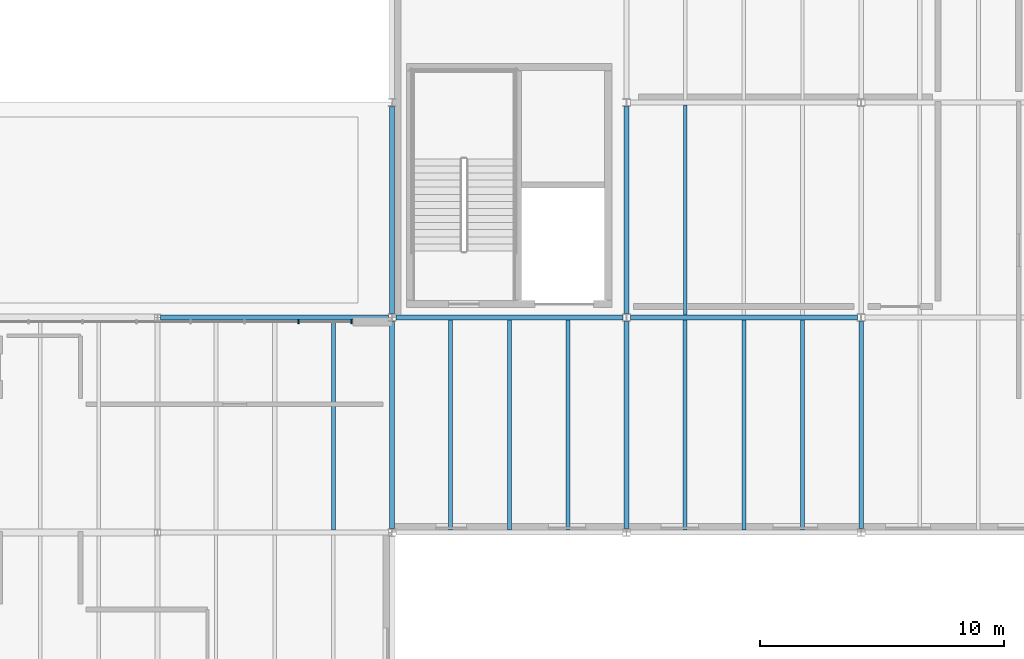
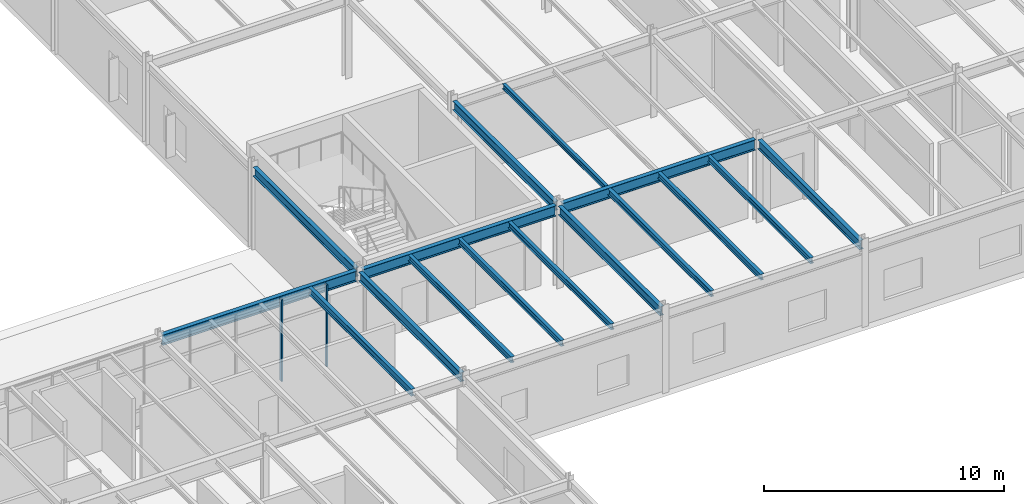
# One storey, part 25 of 69: 16 beams, 2 members, 1 element without a shape of its own.
"""IFC4 building model written with IfcOpenShell, lengths in metres."""

from ifc_helpers import new_model, si_unit, direction, frame, origin, origin_2d, place, context, subcontext, project, spatial, rectangle, i_section, extrude, material, material_profile, profile_set, type_object, element, aggregate, save


model = new_model("IFC4")

# Units and contexts
model_context = context("Model", 3, precision=1e-05, world=origin(), true_north=direction((0.0, 1.0)))
body_context = subcontext(model_context, "Body", "Model", "MODEL_VIEW")
ifc_project = project(units=[si_unit("LENGTHUNIT", "METRE"), si_unit("AREAUNIT", "SQUARE_METRE"), si_unit("VOLUMEUNIT", "CUBIC_METRE"), si_unit("PLANEANGLEUNIT", "RADIAN"), si_unit("MASSUNIT", "GRAM", prefix="KILO")], contexts=[model_context])

# Site, building, storey
site_placement = place(None, origin())
site = spatial("IfcSite", under=ifc_project, at=site_placement, CompositionType="ELEMENT")
building_placement = place(site_placement, origin())
building = spatial("IfcBuilding", under=site, at=building_placement, Name="Sarnbrook Museum", CompositionType="ELEMENT")
storey_placement = place(building_placement, frame((0.0, 0.0, 14.60009765625)))
storey = spatial("IfcBuildingStorey", under=building, at=storey_placement, Name="L03", CompositionType="ELEMENT", Elevation=14.60009765625)

# Beams
ifc_material_1 = material(Name="Structural Steel Grade 300PLUS (AS/NZS 3679.1, fy = 280 MPa for 17 < t <= 40 mm, 300 MPa for t <= 17 mm)", Category="steel")
ifc_material_profile_1 = material_profile(ifc_material_1, i_section(OverallWidth=0.18994140625, OverallDepth=0.45703125, WebThickness=0.009033203125, FlangeThickness=0.014404296875, FilletRadius=0.011474609375, at=origin_2d()), Name="460UB74.6")
ifc_profile_set_1 = profile_set([ifc_material_profile_1], Name="Structural Steel Grade 300PLUS (AS/NZS 3679.1, fy = 280 MPa for 17 < t <= 40 mm, 300 MPa for t <= 17 mm)")
beam_type_1 = type_object("IfcBeamType", Name="BM-UB460", PredefinedType="BEAM", material=ifc_profile_set_1)
beam_1_placement = place(storey_placement, frame((42.39990234375, 74.5576171875, 3.9814453125), z_axis=(0.0, 1.0, 0.0), x_axis=(-1.0, 0.0, 0.0)))
element("IfcBeam", 1, at=beam_1_placement, inside=storey, type_object=beam_type_1, Name="Girder 5:J-K L03", PredefinedType="BEAM", context=body_context, shape_type="SweptSolid", body=[
    extrude(i_section(OverallWidth=0.18994140625, OverallDepth=0.45703125, WebThickness=0.009033203125, FlangeThickness=0.014404296875, FilletRadius=0.011474609375, at=origin_2d()), origin(), (0.0, 0.0, 1.0), 8.48486328125),
])
beam_2_placement = place(storey_placement, frame((42.39990234375, 83.357421875, 3.9814453125), z_axis=(0.0, 1.0, 0.0), x_axis=(-1.0, 0.0, 0.0)))
element("IfcBeam", 2, at=beam_2_placement, inside=storey, type_object=beam_type_1, Name="Girder 5:K-L L03", PredefinedType="BEAM", context=body_context, shape_type="SweptSolid", body=[
    extrude(i_section(OverallWidth=0.18994140625, OverallDepth=0.45703125, WebThickness=0.009033203125, FlangeThickness=0.014404296875, FilletRadius=0.011474609375, at=origin_2d()), origin(), (0.0, 0.0, 1.0), 8.485107421875),
])
beam_3_placement = place(storey_placement, frame((52.0, 74.5576171875, 3.9814453125), z_axis=(0.0, 1.0, 0.0), x_axis=(-1.0, 0.0, 0.0)))
element("IfcBeam", 3, at=beam_3_placement, inside=storey, type_object=beam_type_1, Name="Girder 6:J-K L03", PredefinedType="BEAM", context=body_context, shape_type="SweptSolid", body=[
    extrude(i_section(OverallWidth=0.18994140625, OverallDepth=0.45703125, WebThickness=0.009033203125, FlangeThickness=0.014404296875, FilletRadius=0.011474609375, at=origin_2d()), origin(), (0.0, 0.0, 1.0), 8.48486328125),
])
beam_4_placement = place(storey_placement, frame((52.0, 83.357421875, 3.9814453125), z_axis=(0.0, 1.0, 0.0), x_axis=(-1.0, 0.0, 0.0)))
element("IfcBeam", 4, at=beam_4_placement, inside=storey, type_object=beam_type_1, Name="Girder 6:K-L L03", PredefinedType="BEAM", context=body_context, shape_type="SweptSolid", body=[
    extrude(i_section(OverallWidth=0.18994140625, OverallDepth=0.45703125, WebThickness=0.009033203125, FlangeThickness=0.014404296875, FilletRadius=0.011474609375, at=origin_2d()), origin(), (0.0, 0.0, 1.0), 8.485107421875),
])
beam_5_placement = place(storey_placement, frame((61.60009765625, 74.5576171875, 3.9814453125), z_axis=(0.0, 1.0, 0.0), x_axis=(-1.0, 0.0, 0.0)))
element("IfcBeam", 5, at=beam_5_placement, inside=storey, type_object=beam_type_1, Name="Girder 7:J-K L03", PredefinedType="BEAM", context=body_context, shape_type="SweptSolid", body=[
    extrude(i_section(OverallWidth=0.18994140625, OverallDepth=0.45703125, WebThickness=0.009033203125, FlangeThickness=0.014404296875, FilletRadius=0.011474609375, at=origin_2d()), origin(), (0.0, 0.0, 1.0), 8.48486328125),
])
ifc_material_profile_2 = material_profile(ifc_material_1, i_section(OverallWidth=0.208984375, OverallDepth=0.532958984375, WebThickness=0.01025390625, FlangeThickness=0.015625, FilletRadius=0.013916015625, at=origin_2d()), Name="530UB92.4")
ifc_profile_set_2 = profile_set([ifc_material_profile_2], Name="Structural Steel Grade 300PLUS (AS/NZS 3679.1, fy = 280 MPa for 17 < t <= 40 mm, 300 MPa for t <= 17 mm)")
beam_type_2 = type_object("IfcBeamType", Name="BM-UB530", PredefinedType="BEAM", material=ifc_profile_set_2)
beam_6_placement = place(storey_placement, frame((32.927001953125, 83.199951171875, 3.9833984375), z_axis=(1.0, 0.0, 0.0), x_axis=(0.0, 1.0, 0.0)))
element("IfcBeam", 6, at=beam_6_placement, inside=storey, type_object=beam_type_2, Name="Girder K:4-5 L03", PredefinedType="BEAM", context=body_context, shape_type="SweptSolid", body=[
    extrude(i_section(OverallWidth=0.208984375, OverallDepth=0.532958984375, WebThickness=0.01025390625, FlangeThickness=0.015625, FilletRadius=0.013916015625, at=origin_2d()), origin(), (0.0, 0.0, 1.0), 9.319580078125),
])
for number, where, z_axis, x_axis, name in (
    (7, (42.553466796875, 83.199951171875, 3.943359375), (1.0, 0.0, 0.0), (0.0, 1.0, 0.0), "Girder K:5-6 L03"),
    (8, (52.153564453125, 83.199951171875, 3.943359375), (1.0, 0.0, 0.0), (0.0, 1.0, 0.0), "Girder K:6-7 L03"),
):
    element("IfcBeam", number, at=place(storey_placement, frame(where, z_axis=z_axis, x_axis=x_axis)), inside=storey, type_object=beam_type_2, Name=name, PredefinedType="BEAM", context=body_context, shape_type="SweptSolid", body=[
        extrude(i_section(OverallWidth=0.208984375, OverallDepth=0.532958984375, WebThickness=0.01025390625, FlangeThickness=0.015625, FilletRadius=0.013916015625, at=origin_2d()), origin(), (0.0, 0.0, 1.0), 9.29296875),
    ])

# Curtain wall, members
ifc_material_2 = material(Name="Thermally Broken Anodised Aluminium 6063-T6", Category="aluminium")
curtain_wall_type = type_object("IfcCurtainWallType", Name="CurtainWall_GalleryRibbon", PredefinedType="NOTDEFINED", material=ifc_material_2)
curtain_wall_placement = place(storey_placement, origin())
curtain_wall = element("IfcCurtainWall", 9, at=curtain_wall_placement, inside=storey, type_object=curtain_wall_type, Name="Gallery Ribbon Curtain Wall L03-10.1", PredefinedType="NOTDEFINED")
ifc_material_profile_3 = material_profile(ifc_material_2, rectangle(XDim=0.06005859375, YDim=0.159912109375, at=origin_2d()), Name="ALU MULLION 60x160")
ifc_profile_set_3 = profile_set([ifc_material_profile_3], Name="Thermally Broken Anodised Aluminium 6063-T6")
member_type = type_object("IfcMemberType", Name="CW_Mullion_150x65", PredefinedType="MULLION", material=ifc_profile_set_3)
member_1_placement = place(storey_placement, frame((40.739990234375, 83.02001953125, 0.0), z_axis=(0.0, 0.0, 1.0), x_axis=(1.0, 0.0, 0.0)))
member_1 = element("IfcMember", 10, at=member_1_placement, type_object=member_type, Name="Gallery Ribbon Curtain Wall L03-10.1 Mullion 1", PredefinedType="MULLION", context=body_context, shape_type="SweptSolid", body=[
    extrude(rectangle(XDim=0.06005859375, YDim=0.159912109375, at=origin_2d()), origin(), (0.0, 0.0, 1.0), 4.159912109375),
])
member_2_placement = place(storey_placement, frame((38.5712890625, 83.02001953125, 0.0), z_axis=(0.0, 0.0, 1.0), x_axis=(1.0, 0.0, 0.0)))
member_2 = element("IfcMember", 11, at=member_2_placement, type_object=member_type, Name="Gallery Ribbon Curtain Wall L03-10.1 Mullion 2", PredefinedType="MULLION", context=body_context, shape_type="SweptSolid", body=[
    extrude(rectangle(XDim=0.06005859375, YDim=0.159912109375, at=origin_2d()), origin(), (0.0, 0.0, 1.0), 4.159912109375),
])
aggregate(curtain_wall, [member_1, member_2])

# Beams
ifc_material_profile_4 = material_profile(ifc_material_1, i_section(OverallWidth=0.14599609375, OverallDepth=0.256103515625, WebThickness=0.00634765625, FlangeThickness=0.010986328125, FilletRadius=0.0087890625, at=origin_2d()), Name="250UB37.3")
ifc_profile_set_4 = profile_set([ifc_material_profile_4], Name="Structural Steel Grade 300PLUS (AS/NZS 3679.1, fy = 280 MPa for 17 < t <= 40 mm, 300 MPa for t <= 17 mm)")
beam_type_3 = type_object("IfcBeamType", Name="JS-UB250", PredefinedType="JOIST", material=ifc_profile_set_4)
beam_7_placement = place(storey_placement, frame((54.39990234375, 83.304443359375, 4.081787109375), z_axis=(0.0, 1.0, 0.0), x_axis=(-1.0, 0.0, 0.0)))
element("IfcBeam", 12, at=beam_7_placement, inside=storey, type_object=beam_type_3, Name="Composite Floor Joist 6K-1 L03", PredefinedType="JOIST", context=body_context, shape_type="SweptSolid", body=[
    extrude(i_section(OverallWidth=0.14599609375, OverallDepth=0.256103515625, WebThickness=0.00634765625, FlangeThickness=0.010986328125, FilletRadius=0.0087890625, at=origin_2d()), origin(), (0.0, 0.0, 1.0), 8.591064453125),
])
ifc_material_profile_5 = material_profile(ifc_material_1, i_section(OverallWidth=0.1650390625, OverallDepth=0.303955078125, WebThickness=0.006103515625, FlangeThickness=0.01025390625, FilletRadius=0.011474609375, at=origin_2d()), Name="310UB40.4")
ifc_profile_set_5 = profile_set([ifc_material_profile_5], Name="Structural Steel Grade 300PLUS (AS/NZS 3679.1, fy = 280 MPa for 17 < t <= 40 mm, 300 MPa for t <= 17 mm)")
beam_type_4 = type_object("IfcBeamType", Name="JS-UB310", PredefinedType="JOIST", material=ifc_profile_set_5)
for number, where, z_axis, x_axis, name in (
    (13, (54.39990234375, 74.50439453125, 4.057861328125), (0.0, 1.0, 0.0), (-1.0, 0.0, 0.0), "Composite Floor Joist 6J-1 L03"),
    (14, (56.800048828125, 74.50439453125, 4.057861328125), (0.0, 1.0, 0.0), (-1.0, 0.0, 0.0), "Composite Floor Joist 6J-2 L03"),
    (15, (59.199951171875, 74.50439453125, 4.057861328125), (0.0, 1.0, 0.0), (-1.0, 0.0, 0.0), "Composite Floor Joist 6J-3 L03"),
):
    element("IfcBeam", number, at=place(storey_placement, frame(where, z_axis=z_axis, x_axis=x_axis)), inside=storey, type_object=beam_type_4, Name=name, PredefinedType="JOIST", context=body_context, shape_type="SweptSolid", body=[
        extrude(i_section(OverallWidth=0.1650390625, OverallDepth=0.303955078125, WebThickness=0.006103515625, FlangeThickness=0.01025390625, FilletRadius=0.011474609375, at=origin_2d()), origin(), (0.0, 0.0, 1.0), 8.591064453125),
    ])
ifc_material_profile_6 = material_profile(ifc_material_1, i_section(OverallWidth=0.166015625, OverallDepth=0.306884765625, WebThickness=0.006591796875, FlangeThickness=0.01171875, FilletRadius=0.011474609375, at=origin_2d()), Name="310UB46.2")
ifc_profile_set_6 = profile_set([ifc_material_profile_6], Name="Structural Steel Grade 300PLUS (AS/NZS 3679.1, fy = 280 MPa for 17 < t <= 40 mm, 300 MPa for t <= 17 mm)")
beam_type_5 = type_object("IfcBeamType", Name="JS-UB310H", PredefinedType="JOIST", material=ifc_profile_set_6)
for number, where, z_axis, x_axis, name in (
    (16, (44.800048828125, 74.50439453125, 4.056396484375), (0.0, 1.0, 0.0), (-1.0, 0.0, 0.0), "Composite Floor Joist 5J-1 L03"),
    (17, (47.199951171875, 74.50439453125, 4.056396484375), (0.0, 1.0, 0.0), (-1.0, 0.0, 0.0), "Composite Floor Joist 5J-2 L03"),
    (18, (49.60009765625, 74.50439453125, 4.056396484375), (0.0, 1.0, 0.0), (-1.0, 0.0, 0.0), "Composite Floor Joist 5J-3 L03"),
):
    element("IfcBeam", number, at=place(storey_placement, frame(where, z_axis=z_axis, x_axis=x_axis)), inside=storey, type_object=beam_type_5, Name=name, PredefinedType="JOIST", context=body_context, shape_type="SweptSolid", body=[
        extrude(i_section(OverallWidth=0.166015625, OverallDepth=0.306884765625, WebThickness=0.006591796875, FlangeThickness=0.01171875, FilletRadius=0.011474609375, at=origin_2d()), origin(), (0.0, 0.0, 1.0), 8.591064453125),
    ])
ifc_material_profile_7 = material_profile(ifc_material_1, i_section(OverallWidth=0.1708984375, OverallDepth=0.35595703125, WebThickness=0.00732421875, FlangeThickness=0.011474609375, FilletRadius=0.011474609375, at=origin_2d()), Name="360UB50.7")
ifc_profile_set_7 = profile_set([ifc_material_profile_7], Name="Structural Steel Grade 300PLUS (AS/NZS 3679.1, fy = 280 MPa for 17 < t <= 40 mm, 300 MPa for t <= 17 mm)")
beam_type_6 = type_object("IfcBeamType", Name="JS-UB360", PredefinedType="JOIST", material=ifc_profile_set_7)
beam_8_placement = place(storey_placement, frame((40.0, 74.50439453125, 4.072021484375), z_axis=(0.0, 1.0, 0.0), x_axis=(-1.0, 0.0, 0.0)))
element("IfcBeam", 19, at=beam_8_placement, inside=storey, type_object=beam_type_6, Name="Composite Floor Joist 4J-3 L03", PredefinedType="JOIST", context=body_context, shape_type="SweptSolid", body=[
    extrude(i_section(OverallWidth=0.1708984375, OverallDepth=0.35595703125, WebThickness=0.00732421875, FlangeThickness=0.011474609375, FilletRadius=0.011474609375, at=origin_2d()), origin(), (0.0, 0.0, 1.0), 8.591064453125),
])

save(model, "model.ifc")
